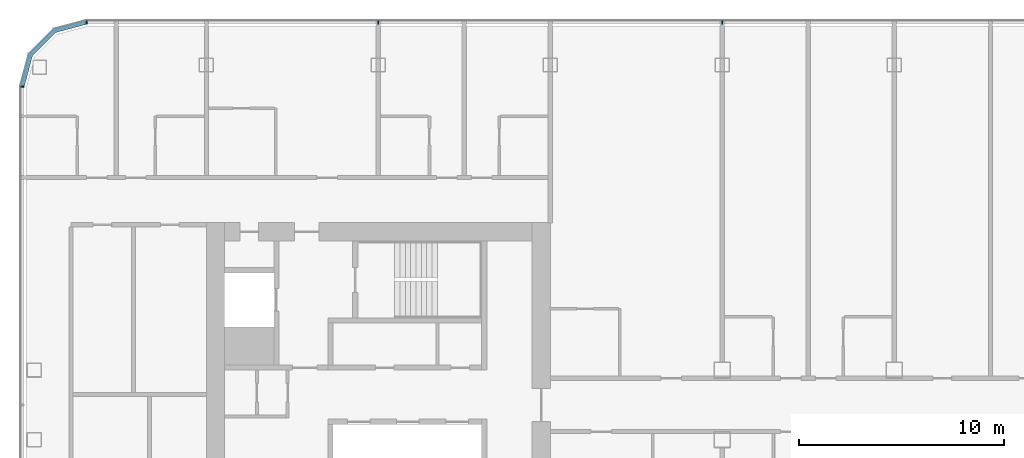
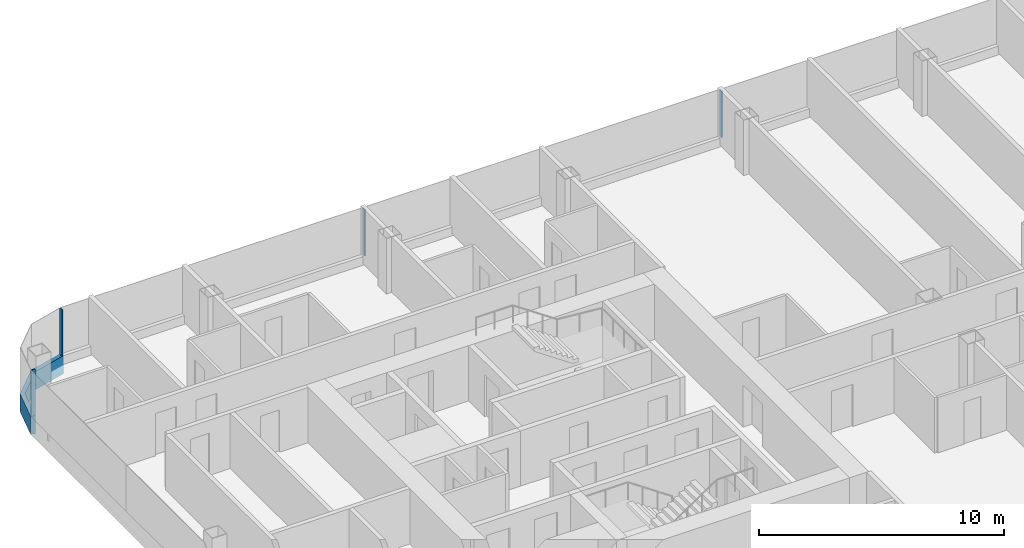
# One storey, part 6 of 26: 5 members, 3 elements without a shape of their own.
"""IFC4 building model written with IfcOpenShell, lengths in metres."""

from ifc_helpers import new_model, si_unit, direction, frame, origin, origin_2d, place, context, subcontext, project, spatial, polyline, rectangle, outline, extrude, material, layer, layer_set, material_profile, profile_set, type_object, element, aggregate, save


model = new_model("IFC4")

# Units and contexts
model_context = context("Model", 3, precision=1e-05, world=origin(), true_north=direction((0.0, 1.0)))
body_context = subcontext(model_context, "Body", "Model", "MODEL_VIEW")
ifc_project = project(units=[si_unit("LENGTHUNIT", "METRE"), si_unit("AREAUNIT", "SQUARE_METRE"), si_unit("VOLUMEUNIT", "CUBIC_METRE"), si_unit("PLANEANGLEUNIT", "RADIAN"), si_unit("MASSUNIT", "GRAM", prefix="KILO")], contexts=[model_context])

# Site, building, storey
site_placement = place(None, origin())
site = spatial("IfcSite", under=ifc_project, at=site_placement, CompositionType="ELEMENT")
building_placement = place(site_placement, origin())
building = spatial("IfcBuilding", under=site, at=building_placement, Name="Hakoniwa Tower and Hamabe Station Hall", CompositionType="ELEMENT")
storey_placement = place(building_placement, frame((0.0, 0.0, 153.39990234375)))
storey = spatial("IfcBuildingStorey", under=building, at=storey_placement, Name="L43", CompositionType="ELEMENT", Elevation=153.39990234375)

# Curtain wall, member
ifc_material_1 = material(Name="Dark low-e laminated glass", Category="glass")
ifc_layer = layer(ifc_material_1, 0.199951171875)
ifc_layer_set = layer_set([ifc_layer], Name="CW-1 UNITISED GUEST")
curtain_wall_type = type_object("IfcCurtainWallType", Name="CW-1 UNITISED GUEST", PredefinedType="NOTDEFINED", material=ifc_layer_set)
curtain_wall_1_placement = place(storey_placement, origin())
curtain_wall_1 = element("IfcCurtainWall", 1, at=curtain_wall_1_placement, inside=storey, type_object=curtain_wall_type, Name="CW-1 curtain wall", PredefinedType="NOTDEFINED")
ifc_material_2 = material(Name="Aluminium 6063-T5 black anodised", Category="aluminium")
ifc_material_profile_1 = material_profile(ifc_material_2, rectangle(XDim=0.199951171875, YDim=0.89990234375, at=origin_2d()), Name="CW SLAB-EDGE BAND 900X200")
ifc_profile_set_1 = profile_set([ifc_material_profile_1], Name="Aluminium 6063-T5 black anodised")
member_type_1 = type_object("IfcMemberType", Name="CW SLAB-EDGE BAND 900X200", PredefinedType="USERDEFINED", material=ifc_profile_set_1)
member_1_placement = place(storey_placement, frame((0.0, 0.0, -0.5498046875)))
member_1 = element("IfcMember", 2, at=member_1_placement, type_object=member_type_1, Name="CW-1 transom", ObjectType="TRANSOM", PredefinedType="USERDEFINED", context=body_context, shape_type="SweptSolid", body=[
    extrude(outline(polyline([(-39.439453125, 18.300048828125), (-41.05517578125, 17.866943359375), (-42.26708984375, 16.6552734375), (-42.699951171875, 15.03955078125), (-42.5068359375, 14.98779296875), (-42.087646484375, 16.5517578125), (-40.95166015625, 17.687744140625), (-39.3876953125, 18.10693359375), (-39.439453125, 18.300048828125)])), origin(), (0.0, 0.0, 1.0), 0.89990234375),
])
aggregate(curtain_wall_1, [member_1])

# Curtain wall, members
curtain_wall_2_placement = place(storey_placement, origin())
curtain_wall_2 = element("IfcCurtainWall", 3, at=curtain_wall_2_placement, inside=storey, type_object=curtain_wall_type, Name="CW-1 curtain wall", PredefinedType="NOTDEFINED")
ifc_material_3 = material(Name="Aluminium 6063-T5 black anodised", Category="aluminium")
ifc_material_profile_2 = material_profile(ifc_material_3, rectangle(XDim=0.06005859375, YDim=0.179931640625, at=origin_2d()), Name="CW-1 MULLION 60X180")
ifc_profile_set_2 = profile_set([ifc_material_profile_2], Name="Aluminium 6063-T5 black anodised")
member_type_2 = type_object("IfcMemberType", Name="CW-1 MULLION 60X180", PredefinedType="MULLION", material=ifc_profile_set_2)
member_2_placement = place(storey_placement, frame((-8.39990234375, 18.181884765625, 0.35009765625), z_axis=(0.0, 0.0, 1.0), x_axis=(-1.0, 0.0, 0.0)))
member_2 = element("IfcMember", 4, at=member_2_placement, type_object=member_type_2, Name="CW-1 mullion", PredefinedType="MULLION", context=body_context, shape_type="SweptSolid", body=[
    extrude(rectangle(XDim=0.06005859375, YDim=0.179931640625, at=origin_2d()), origin(), (0.0, 0.0, 1.0), 2.300048828125),
])
member_3_placement = place(storey_placement, frame((-25.199951171875, 18.181884765625, 0.35009765625), z_axis=(0.0, 0.0, 1.0), x_axis=(-1.0, 0.0, 0.0)))
member_3 = element("IfcMember", 5, at=member_3_placement, type_object=member_type_2, Name="CW-1 mullion", PredefinedType="MULLION", context=body_context, shape_type="SweptSolid", body=[
    extrude(rectangle(XDim=0.06005859375, YDim=0.179931640625, at=origin_2d()), origin(), (0.0, 0.0, 1.0), 2.300048828125),
])
member_4_placement = place(storey_placement, frame((-39.439453125, 18.181884765625, 0.35009765625), z_axis=(0.0, 0.0, 1.0), x_axis=(-1.0, 0.0, 0.0)))
member_4 = element("IfcMember", 6, at=member_4_placement, type_object=member_type_2, Name="CW-1 mullion", PredefinedType="MULLION", context=body_context, shape_type="SweptSolid", body=[
    extrude(rectangle(XDim=0.06005859375, YDim=0.179931640625, at=origin_2d()), origin(), (0.0, 0.0, 1.0), 2.300048828125),
])
aggregate(curtain_wall_2, [member_2, member_3, member_4])

# Curtain wall, member
curtain_wall_3_placement = place(storey_placement, origin())
curtain_wall_3 = element("IfcCurtainWall", 7, at=curtain_wall_3_placement, inside=storey, type_object=curtain_wall_type, Name="CW-1 curtain wall", PredefinedType="NOTDEFINED")
member_5_placement = place(storey_placement, frame((-42.58203125, 15.03955078125, 0.35009765625), z_axis=(0.0, 0.0, 1.0), x_axis=(0.0, -1.0, 0.0)))
member_5 = element("IfcMember", 8, at=member_5_placement, type_object=member_type_2, Name="CW-1 mullion", PredefinedType="MULLION", context=body_context, shape_type="SweptSolid", body=[
    extrude(rectangle(XDim=0.06005859375, YDim=0.179931640625, at=origin_2d()), origin(), (0.0, 0.0, 1.0), 2.300048828125),
])
aggregate(curtain_wall_3, [member_5])

save(model, "model.ifc")
